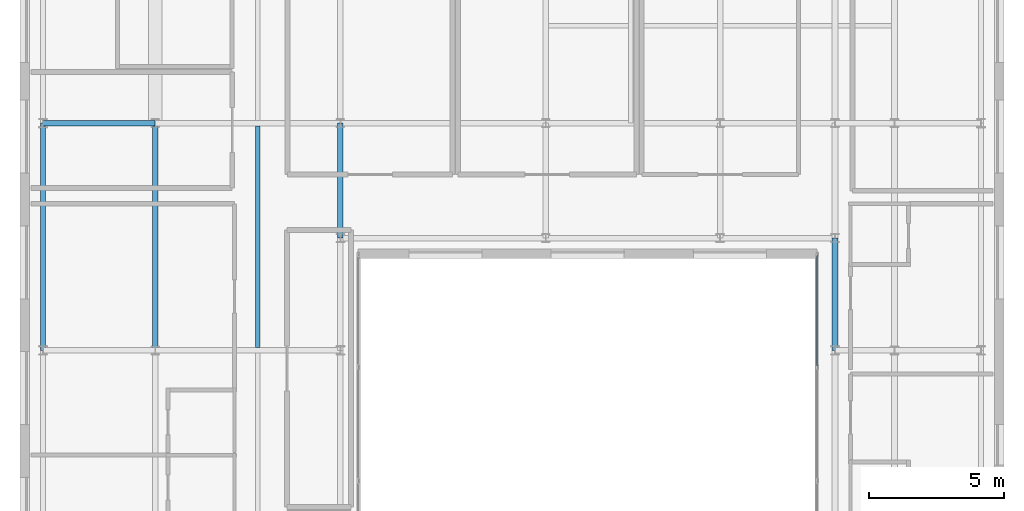
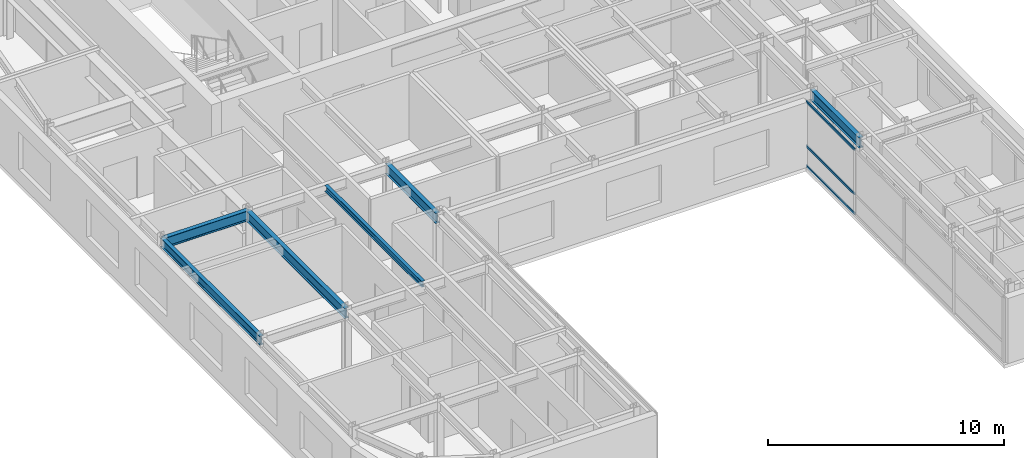
# One storey, part 8 of 18: 6 beams, 3 members, 1 element without a shape of its own.
"""IFC4 building model written with IfcOpenShell, lengths in metres."""

from ifc_helpers import new_model, si_unit, direction, frame, origin, origin_2d, place, context, subcontext, project, spatial, hollow_rectangle, i_section, extrude, source, transform, mapped, material, layer, layer_set, material_profile, profile_set, type_object, type_shapes, element, aggregate, save


model = new_model("IFC4")

# Units and contexts
model_context = context("Model", 3, precision=1e-05, world=origin(), true_north=direction((0.0, 1.0)))
body_context = subcontext(model_context, "Body", "Model", "MODEL_VIEW")
ifc_project = project(units=[si_unit("LENGTHUNIT", "METRE"), si_unit("AREAUNIT", "SQUARE_METRE"), si_unit("VOLUMEUNIT", "CUBIC_METRE"), si_unit("PLANEANGLEUNIT", "RADIAN"), si_unit("MASSUNIT", "GRAM", prefix="KILO")], contexts=[model_context])

# Site, building, storey
site_placement = place(None, origin())
site = spatial("IfcSite", under=ifc_project, at=site_placement, CompositionType="ELEMENT")
building_placement = place(site_placement, origin())
building = spatial("IfcBuilding", under=site, at=building_placement, Name="Tolvann Quenvar Hotel", CompositionType="ELEMENT")
storey_placement = place(building_placement, frame((0.0, 0.0, 259.39990234375)))
storey = spatial("IfcBuildingStorey", under=building, at=storey_placement, Name="L69", CompositionType="ELEMENT", Elevation=259.39990234375)

# Beams
ifc_material_1 = material(Name="Steel Grade 350", Category="steel")
ifc_material_profile_1 = material_profile(ifc_material_1, i_section(OverallWidth=0.208984375, OverallDepth=0.532958984375, WebThickness=0.01025390625, FlangeThickness=0.015625, FilletRadius=0.013916015625, at=origin_2d()), Name="530UB92")
ifc_profile_set_1 = profile_set([ifc_material_profile_1], Name="Steel Grade 350")
beam_type_1 = type_object("IfcBeamType", Name="BM_GIRD_530UB92", PredefinedType="BEAM", material=ifc_profile_set_1)
shared_shape_1 = source(origin(), body_context, "Body", "SweptSolid", [
    extrude(i_section(OverallWidth=0.208984375, OverallDepth=0.532958984375, WebThickness=0.01025390625, FlangeThickness=0.015625, FilletRadius=0.013916015625, at=origin_2d()), origin(), (0.0, 0.0, 1.0), 8.39990234375),
])
beam_1_placement = place(storey_placement, frame((7.60009765625, 16.0, 3.103515625), z_axis=(0.0, 1.0, 0.0), x_axis=(-1.0, 0.0, 0.0)))
element("IfcBeam", 1, at=beam_1_placement, inside=storey, type_object=beam_type_1, Name="BM-L69-NS-C4-C5", PredefinedType="BEAM", context=body_context, shape_type="MappedRepresentation", body=[
    mapped(shared_shape_1, transform((0.0, 0.0, 0.0), x_axis=(1.0, 0.0, 0.0), y_axis=(0.0, 1.0, 0.0), z_axis=(0.0, 0.0, 1.0), scale=1.0)),
])
ifc_material_profile_2 = material_profile(ifc_material_1, i_section(OverallWidth=0.19091796875, OverallDepth=0.4599609375, WebThickness=0.010009765625, FlangeThickness=0.01611328125, FilletRadius=0.011474609375, at=origin_2d()), Name="460UB82")
ifc_profile_set_2 = profile_set([ifc_material_profile_2], Name="Steel Grade 350")
beam_type_2 = type_object("IfcBeamType", Name="BM_SPAND_460UB82", PredefinedType="SPANDREL", material=ifc_profile_set_2)
shared_shape_2 = source(origin(), body_context, "Body", "SweptSolid", [
    extrude(i_section(OverallWidth=0.19091796875, OverallDepth=0.4599609375, WebThickness=0.010009765625, FlangeThickness=0.01611328125, FilletRadius=0.011474609375, at=origin_2d()), origin(), (0.0, 0.0, 1.0), 8.39990234375),
])
type_shapes(beam_type_2, [shared_shape_2])
beam_2_placement = place(storey_placement, frame((3.449951171875, 16.0, 3.14013671875), z_axis=(0.0, 1.0, 0.0), x_axis=(-1.0, 0.0, 0.0)))
element("IfcBeam", 2, at=beam_2_placement, inside=storey, type_object=beam_type_2, Name="BM-L69-NS-B4-B5", PredefinedType="SPANDREL", context=body_context, shape_type="MappedRepresentation", body=[
    mapped(shared_shape_2, transform((0.0, 0.0, 0.0), x_axis=(1.0, 0.0, 0.0), y_axis=(0.0, 1.0, 0.0), z_axis=(0.0, 0.0, 1.0), scale=1.0)),
])
shared_shape_3 = source(origin(), body_context, "Body", "SweptSolid", [
    extrude(i_section(OverallWidth=0.208984375, OverallDepth=0.532958984375, WebThickness=0.01025390625, FlangeThickness=0.015625, FilletRadius=0.013916015625, at=origin_2d()), origin(), (0.0, 0.0, 1.0), 4.150146484375),
])
beam_3_placement = place(storey_placement, frame((3.449951171875, 24.39990234375, 3.103515625), z_axis=(1.0, 0.0, 0.0), x_axis=(0.0, 1.0, 0.0)))
element("IfcBeam", 3, at=beam_3_placement, inside=storey, type_object=beam_type_1, Name="BM-L69-EW-5-B5-C5", PredefinedType="BEAM", context=body_context, shape_type="MappedRepresentation", body=[
    mapped(shared_shape_3, transform((0.0, 0.0, 0.0), x_axis=(1.0, 0.0, 0.0), y_axis=(0.0, 1.0, 0.0), z_axis=(0.0, 0.0, 1.0), scale=1.0)),
])
shared_shape_4 = source(origin(), body_context, "Body", "SweptSolid", [
    extrude(i_section(OverallWidth=0.208984375, OverallDepth=0.532958984375, WebThickness=0.01025390625, FlangeThickness=0.015625, FilletRadius=0.013916015625, at=origin_2d()), origin(), (0.0, 0.0, 1.0), 4.25),
])
beam_4_placement = place(storey_placement, frame((14.449951171875, 20.14990234375, 3.103515625), z_axis=(0.0, 1.0, 0.0), x_axis=(-1.0, 0.0, 0.0)))
element("IfcBeam", 4, at=beam_4_placement, inside=storey, type_object=beam_type_1, Name="BM-L69-NS-D4P-D5", PredefinedType="BEAM", context=body_context, shape_type="MappedRepresentation", body=[
    mapped(shared_shape_4, transform((0.0, 0.0, 0.0), x_axis=(1.0, 0.0, 0.0), y_axis=(0.0, 1.0, 0.0), z_axis=(0.0, 0.0, 1.0), scale=1.0)),
])
shared_shape_5 = source(origin(), body_context, "Body", "SweptSolid", [
    extrude(i_section(OverallWidth=0.208984375, OverallDepth=0.532958984375, WebThickness=0.01025390625, FlangeThickness=0.015625, FilletRadius=0.013916015625, at=origin_2d()), origin(), (0.0, 0.0, 1.0), 4.14990234375),
])
type_shapes(beam_type_1, [shared_shape_1, shared_shape_3, shared_shape_4, shared_shape_5])
beam_5_placement = place(storey_placement, frame((32.75, 16.0, 3.103515625), z_axis=(0.0, 1.0, 0.0), x_axis=(-1.0, 0.0, 0.0)))
element("IfcBeam", 5, at=beam_5_placement, inside=storey, type_object=beam_type_1, Name="BM-L69-NS-FP4-FP4P", PredefinedType="BEAM", context=body_context, shape_type="MappedRepresentation", body=[
    mapped(shared_shape_5, transform((0.0, 0.0, 0.0), x_axis=(1.0, 0.0, 0.0), y_axis=(0.0, 1.0, 0.0), z_axis=(0.0, 0.0, 1.0), scale=1.0)),
])
ifc_material_profile_3 = material_profile(ifc_material_1, i_section(OverallWidth=0.166015625, OverallDepth=0.306884765625, WebThickness=0.006591796875, FlangeThickness=0.01171875, FilletRadius=0.011474609375, at=origin_2d()), Name="310UB46")
ifc_profile_set_3 = profile_set([ifc_material_profile_3], Name="Steel Grade 350")
beam_type_3 = type_object("IfcBeamType", Name="BM_JOIST_310UB46", PredefinedType="JOIST", material=ifc_profile_set_3)
shared_shape_6 = source(origin(), body_context, "Body", "SweptSolid", [
    extrude(i_section(OverallWidth=0.166015625, OverallDepth=0.306884765625, WebThickness=0.006591796875, FlangeThickness=0.01171875, FilletRadius=0.011474609375, at=origin_2d()), origin(), (0.0, 0.0, 1.0), 8.203125),
])
type_shapes(beam_type_3, [shared_shape_6])
beam_6_placement = place(storey_placement, frame((11.39990234375, 16.098388671875, 3.216552734375), z_axis=(0.0, 1.0, 0.0), x_axis=(-1.0, 0.0, 0.0)))
element("IfcBeam", 6, at=beam_6_placement, inside=storey, type_object=beam_type_3, Name="BJ-L69-114-160", PredefinedType="JOIST", context=body_context, shape_type="MappedRepresentation", body=[
    mapped(shared_shape_6, transform((0.0, 0.0, 0.0), x_axis=(1.0, 0.0, 0.0), y_axis=(0.0, 1.0, 0.0), z_axis=(0.0, 0.0, 1.0), scale=1.0)),
])

# Curtain wall, members
ifc_material_2 = material(Name="Thermally broken anodised architectural aluminium 6063-T6 and laminated low-E glass", Category="aluminium")
ifc_layer = layer(ifc_material_2, 0.179931640625)
ifc_layer_set = layer_set([ifc_layer], Name="Thermally broken anodised architectural aluminium 6063-T6 and laminated low-E glass")
curtain_wall_type = type_object("IfcCurtainWallType", Name="CW_SYS_PORTAL_05", PredefinedType="USERDEFINED", material=ifc_layer_set)
curtain_wall_placement = place(storey_placement, origin())
curtain_wall = element("IfcCurtainWall", 7, at=curtain_wall_placement, inside=storey, type_object=curtain_wall_type, Name="Curtain Wall CW-PORTAL-05 (CWR-L69-E07)", ObjectType="UNITISED CURTAIN WALL", PredefinedType="USERDEFINED")
ifc_material_3 = material(Name="Anodised architectural aluminium 6063-T6 framing", Category="aluminium")
ifc_material_profile_4 = material_profile(ifc_material_3, hollow_rectangle(XDim=0.06005859375, YDim=0.1201171875, WallThickness=0.00341796875, at=origin_2d()), Name="120x60x3.5RHS")
ifc_profile_set_4 = profile_set([ifc_material_profile_4], Name="Anodised architectural aluminium 6063-T6 framing")
member_type = type_object("IfcMemberType", Name="CW_TRAN_120x60", PredefinedType="USERDEFINED", material=ifc_profile_set_4)
shared_shape_7 = source(origin(), body_context, "Body", "SweptSolid", [
    extrude(hollow_rectangle(XDim=0.06005859375, YDim=0.1201171875, WallThickness=0.00341796875, at=origin_2d()), origin(), (0.0, 0.0, 1.0), 4.094970703125),
])
type_shapes(member_type, [shared_shape_7])
member_1_placement = place(storey_placement, frame((32.090087890625, 19.5048828125, 0.030029296875), z_axis=(0.0, -1.0, 0.0), x_axis=(1.0, 0.0, 0.0)))
member_1 = element("IfcMember", 8, at=member_1_placement, type_object=member_type, Name="CW-PORTAL-05 transom 1.1", ObjectType="TRANSOM", PredefinedType="USERDEFINED", context=body_context, shape_type="MappedRepresentation", body=[
    mapped(shared_shape_7, transform((0.0, 0.0, 0.0), x_axis=(1.0, 0.0, 0.0), y_axis=(0.0, 1.0, 0.0), z_axis=(0.0, 0.0, 1.0), scale=1.0)),
])
member_2_placement = place(storey_placement, frame((32.090087890625, 19.5048828125, 1.050048828125), z_axis=(0.0, -1.0, 0.0), x_axis=(1.0, 0.0, 0.0)))
member_2 = element("IfcMember", 9, at=member_2_placement, type_object=member_type, Name="CW-PORTAL-05 transom 1.2", ObjectType="TRANSOM", PredefinedType="USERDEFINED", context=body_context, shape_type="MappedRepresentation", body=[
    mapped(shared_shape_7, transform((0.0, 0.0, 0.0), x_axis=(1.0, 0.0, 0.0), y_axis=(0.0, 1.0, 0.0), z_axis=(0.0, 0.0, 1.0), scale=1.0)),
])
member_3_placement = place(storey_placement, frame((32.090087890625, 19.5048828125, 3.340087890625), z_axis=(0.0, -1.0, 0.0), x_axis=(1.0, 0.0, 0.0)))
member_3 = element("IfcMember", 10, at=member_3_placement, type_object=member_type, Name="CW-PORTAL-05 transom 1.3", ObjectType="TRANSOM", PredefinedType="USERDEFINED", context=body_context, shape_type="MappedRepresentation", body=[
    mapped(shared_shape_7, transform((0.0, 0.0, 0.0), x_axis=(1.0, 0.0, 0.0), y_axis=(0.0, 1.0, 0.0), z_axis=(0.0, 0.0, 1.0), scale=1.0)),
])
aggregate(curtain_wall, [member_1, member_2, member_3])

save(model, "model.ifc")
